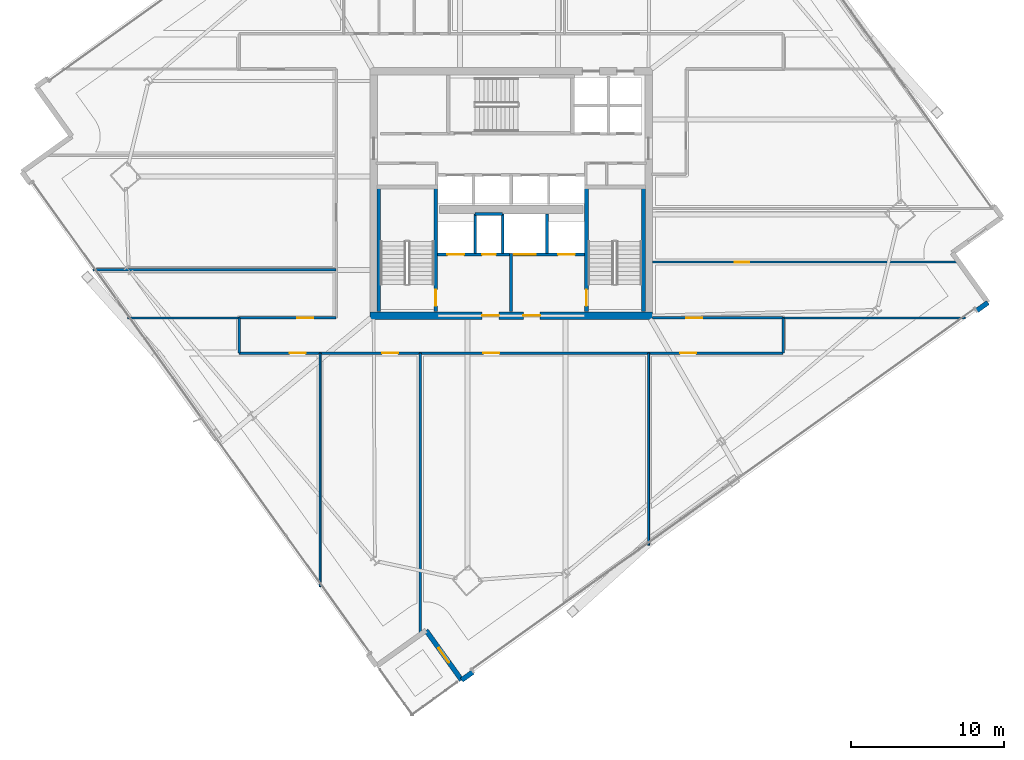
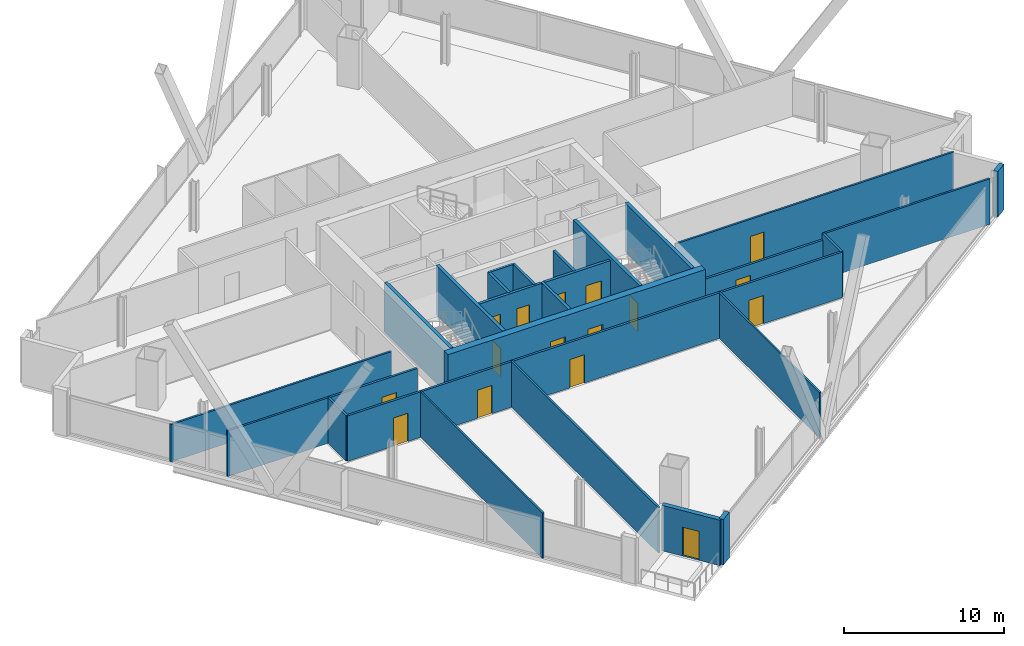
# One storey, part 25 of 33: 27 walls, 16 doors, 16 openings.
"""IFC4 building model written with IfcOpenShell, lengths in metres."""

from ifc_helpers import new_model, si_unit, direction, frame, frame_2d, origin, place, context, subcontext, project, spatial, rectangle, extrude, material, layer, layer_set, type_object, element, fill, save


model = new_model("IFC4")

# Units and contexts
model_context = context("Model", 3, precision=1e-05, world=origin(), true_north=direction((0.0, 1.0)))
body_context = subcontext(model_context, "Body", "Model", "MODEL_VIEW")
ifc_project = project(units=[si_unit("LENGTHUNIT", "METRE"), si_unit("AREAUNIT", "SQUARE_METRE"), si_unit("VOLUMEUNIT", "CUBIC_METRE"), si_unit("PLANEANGLEUNIT", "RADIAN"), si_unit("MASSUNIT", "GRAM", prefix="KILO")], contexts=[model_context])

# Site, building, storey
site_placement = place(None, origin())
site = spatial("IfcSite", under=ifc_project, at=site_placement, CompositionType="ELEMENT")
building_placement = place(site_placement, origin())
building = spatial("IfcBuilding", under=site, at=building_placement, Name="Haldenkirk Collegiate Tower", CompositionType="ELEMENT")
storey_placement = place(building_placement, frame((0.0, 0.0, 148.199951171875)))
storey = spatial("IfcBuildingStorey", under=building, at=storey_placement, Name="L36", CompositionType="ELEMENT", Elevation=148.199951171875)

# Wall, openings, doors
ifc_material_1 = material(Name="Concrete f'c 55 MPa", Category="concrete")
ifc_layer_1 = layer(ifc_material_1, 0.5)
ifc_layer_set_1 = layer_set([ifc_layer_1], Name="Concrete f'c 55 MPa")
wall_type_1 = type_object("IfcWallType", Name="WL-CORE-500", PredefinedType="SHEAR", material=ifc_layer_set_1)
wall_1_placement = place(storey_placement, frame((26.75, 18.0, 0.0), z_axis=(0.0, 0.0, 1.0), x_axis=(1.0, 0.0, 0.0)))
wall_1 = element("IfcWall", 1, at=wall_1_placement, inside=storey, type_object=wall_type_1, Name="L36 central core shear wall S", PredefinedType="SHEAR", context=body_context, shape_type="SweptSolid", body=[
    extrude(rectangle(XDim=18.5, YDim=0.5, at=frame_2d((9.25, 0.0))), origin(), (0.0, 0.0, 1.0), 3.75),
])
opening_1_placement = place(wall_1_placement, frame((7.35009765625, 0.0, 0.0)))
opening_1 = element("IfcOpeningElement", 2, at=opening_1_placement, cuts=wall_1, Name="Opening D-02", PredefinedType="OPENING", context=body_context, shape_type="SweptSolid", body=[
    extrude(rectangle(XDim=1.10009765625, YDim=2.14990234375, at=frame_2d((0.550048828125, 1.074951171875))), frame((0.0, 0.260009765625, 0.0), z_axis=(0.0, -1.0, 0.0), x_axis=(1.0, 0.0, 0.0)), (0.0, 0.0, 1.0), 0.52001953125),
])
opening_2_placement = place(wall_1_placement, frame((10.050048828125, 0.0, 0.0)))
opening_2 = element("IfcOpeningElement", 3, at=opening_2_placement, cuts=wall_1, Name="Opening D-02", PredefinedType="OPENING", context=body_context, shape_type="SweptSolid", body=[
    extrude(rectangle(XDim=1.10009765625, YDim=2.14990234375, at=frame_2d((0.550048828125, 1.074951171875))), frame((0.0, 0.260009765625, 0.0), z_axis=(0.0, -1.0, 0.0), x_axis=(1.0, 0.0, 0.0)), (0.0, 0.0, 1.0), 0.52001953125),
])
ifc_material_2 = material(Name="Galvanized fire-rated hollow steel door", Category="steel")
ifc_layer_2 = layer(ifc_material_2, 0.06005859375)
ifc_layer_set_2 = layer_set([ifc_layer_2], Name="Galvanized fire-rated hollow steel door")
door_type_1 = type_object("IfcDoorType", Name="DR-STAIR-FD90-1100", OperationType="NOTDEFINED", PredefinedType="DOOR", material=ifc_layer_set_2)
door_1_placement = place(opening_1_placement, origin())
door_1 = element("IfcDoor", 4, at=door_1_placement, inside=storey, type_object=door_type_1, Name="L36 Firefighting Lobby 1 door", OperationType="SINGLE_SWING_LEFT", OverallHeight=2.14990234375, OverallWidth=1.10009765625, PredefinedType="DOOR", context=body_context, shape_type="SweptSolid", body=[
    extrude(rectangle(XDim=1.10009765625, YDim=2.14990234375, at=frame_2d((0.550048828125, 1.074951171875))), frame((0.0, 0.02490234375, 0.0), z_axis=(0.0, -1.0, 0.0), x_axis=(1.0, 0.0, 0.0)), (0.0, 0.0, 1.0), 0.050048828125),
])
fill(opening_1, door_1)
door_2_placement = place(opening_2_placement, origin())
door_2 = element("IfcDoor", 5, at=door_2_placement, inside=storey, type_object=door_type_1, Name="L36 Firefighting Lobby 2 door", OperationType="SINGLE_SWING_RIGHT", OverallHeight=2.14990234375, OverallWidth=1.10009765625, PredefinedType="DOOR", context=body_context, shape_type="SweptSolid", body=[
    extrude(rectangle(XDim=1.10009765625, YDim=2.14990234375, at=frame_2d((0.550048828125, 1.074951171875))), frame((0.0, 0.02490234375, 0.0), z_axis=(0.0, -1.0, 0.0), x_axis=(1.0, 0.0, 0.0)), (0.0, 0.0, 1.0), 0.050048828125),
])
fill(opening_2, door_2)

# Walls
ifc_material_3 = material(Name="Precast concrete f'c 40 MPa", Category="concrete")
ifc_layer_3 = layer(ifc_material_3, 0.320068359375)
ifc_layer_set_3 = layer_set([ifc_layer_3], Name="Precast concrete f'c 40 MPa")
wall_type_2 = type_object("IfcWallType", Name="WL-EXT-TWR-320", PredefinedType="STANDARD", material=ifc_layer_set_3)
for number, where, z_axis, x_axis, name in (
    (6, (67.21484375, 18.853759765625, 0.0), (0.0, 0.0, 1.0), (-0.812613672587, -0.582802727451, 0.0), "L36 precast corner pier SL"),
    (7, (33.4921875, -5.333740234375, 0.0), (0.0, 0.0, 1.0), (-0.812485176157, -0.582981850939, 0.0), "L36 precast corner pier SR"),
):
    element("IfcWall", number, at=place(storey_placement, frame(where, z_axis=z_axis, x_axis=x_axis)), inside=storey, type_object=wall_type_2, Name=name, PredefinedType="STANDARD", context=body_context, shape_type="SweptSolid", body=[
        extrude(rectangle(XDim=0.89990234375, YDim=0.320068359375, at=frame_2d((0.449951171875, 0.0))), origin(), (0.0, 0.0, 1.0), 3.4599609375),
    ])

# Wall, opening, door
wall_2_placement = place(storey_placement, frame((32.760986328125, -5.8583984375, 0.0), z_axis=(0.0, 0.0, 1.0), x_axis=(-0.582813264105, 0.812606115645, 0.0)))
wall_2 = element("IfcWall", 8, at=wall_2_placement, inside=storey, type_object=wall_type_2, Name="L36 bronze precast notch wall 12", PredefinedType="STANDARD", context=body_context, shape_type="SweptSolid", body=[
    extrude(rectangle(XDim=4.0, YDim=0.320068359375, at=frame_2d((2.0, 0.0))), origin(), (0.0, 0.0, 1.0), 3.4599609375),
])
opening_3_placement = place(wall_2_placement, frame((1.425048828125, 0.0, 0.0)))
opening_3 = element("IfcOpeningElement", 9, at=opening_3_placement, cuts=wall_2, Name="Opening D-ST11", PredefinedType="OPENING", context=body_context, shape_type="SweptSolid", body=[
    extrude(rectangle(XDim=1.14990234375, YDim=2.199951171875, at=frame_2d((0.574951171875, 1.10009765625))), frame((0.0, 0.169921875, 0.0), z_axis=(0.0, -1.0, 0.0), x_axis=(1.0, 0.0, 0.0)), (0.0, 0.0, 1.0), 0.340087890625),
])
ifc_material_4 = material(Name="Anodised architectural bronze aluminium", Category="aluminium")
ifc_layer_4 = layer(ifc_material_4, 0.080078125)
ifc_layer_set_4 = layer_set([ifc_layer_4], Name="Anodised architectural bronze aluminium")
door_type_2 = type_object("IfcDoorType", Name="DR-EXT-STER-1150", OperationType="NOTDEFINED", PredefinedType="DOOR", material=ifc_layer_set_4)
door_3_placement = place(opening_3_placement, origin())
door_3 = element("IfcDoor", 10, at=door_3_placement, inside=storey, type_object=door_type_2, Name="L36 spiralling terrace door", OperationType="SINGLE_SWING_LEFT", OverallHeight=2.199951171875, OverallWidth=1.14990234375, PredefinedType="DOOR", context=body_context, shape_type="SweptSolid", body=[
    extrude(rectangle(XDim=1.14990234375, YDim=2.199951171875, at=frame_2d((0.574951171875, 1.10009765625))), frame((0.0, 0.02490234375, 0.0), z_axis=(0.0, -1.0, 0.0), x_axis=(1.0, 0.0, 0.0)), (0.0, 0.0, 1.0), 0.050048828125),
])
fill(opening_3, door_3)

# Wall, openings, doors
ifc_material_5 = material(Name="Acoustic fire-rated gypsum partition", Category="concrete")
ifc_layer_5 = layer(ifc_material_5, 0.159912109375)
ifc_layer_set_5 = layer_set([ifc_layer_5], Name="Acoustic fire-rated gypsum partition")
wall_type_3 = type_object("IfcWallType", Name="WL-INT-CORR-160", PredefinedType="PARTITIONING", material=ifc_layer_set_5)
wall_3_placement = place(storey_placement, frame((18.199951171875, 15.550048828125, 0.0), z_axis=(0.0, 0.0, 1.0), x_axis=(1.0, 0.0, 0.0)))
wall_3 = element("IfcWall", 11, at=wall_3_placement, inside=storey, type_object=wall_type_3, Name="L36 interior partition IW-L36-CS", PredefinedType="PARTITIONING", context=body_context, shape_type="SweptSolid", body=[
    extrude(rectangle(XDim=35.60009765625, YDim=0.159912109375, at=frame_2d((17.800048828125, 0.0))), origin(), (0.0, 0.0, 1.0), 3.4599609375),
])
opening_4_placement = place(wall_3_placement, frame((3.304931640625, 0.0, 0.0)))
opening_4 = element("IfcOpeningElement", 12, at=opening_4_placement, cuts=wall_3, Name="Opening D-09", PredefinedType="OPENING", context=body_context, shape_type="SweptSolid", body=[
    extrude(rectangle(XDim=1.050048828125, YDim=2.14990234375, at=frame_2d((0.52490234375, 1.074951171875))), frame((0.0, 0.08984375, 0.0), z_axis=(0.0, -1.0, 0.0), x_axis=(1.0, 0.0, 0.0)), (0.0, 0.0, 1.0), 0.179931640625),
])
opening_5_placement = place(wall_3_placement, frame((9.34912109375, 0.0, 0.0)))
opening_5 = element("IfcOpeningElement", 13, at=opening_5_placement, cuts=wall_3, Name="Opening D-09", PredefinedType="OPENING", context=body_context, shape_type="SweptSolid", body=[
    extrude(rectangle(XDim=1.050048828125, YDim=2.14990234375, at=frame_2d((0.52490234375, 1.074951171875))), frame((0.0, 0.08984375, 0.0), z_axis=(0.0, -1.0, 0.0), x_axis=(1.0, 0.0, 0.0)), (0.0, 0.0, 1.0), 0.179931640625),
])
opening_6_placement = place(wall_3_placement, frame((15.989013671875, 0.0, 0.0)))
opening_6 = element("IfcOpeningElement", 14, at=opening_6_placement, cuts=wall_3, Name="Opening D-09", PredefinedType="OPENING", context=body_context, shape_type="SweptSolid", body=[
    extrude(rectangle(XDim=1.050048828125, YDim=2.14990234375, at=frame_2d((0.52490234375, 1.074951171875))), frame((0.0, 0.08984375, 0.0), z_axis=(0.0, -1.0, 0.0), x_axis=(1.0, 0.0, 0.0)), (0.0, 0.0, 1.0), 0.179931640625),
])
opening_7_placement = place(wall_3_placement, frame((28.864990234375, 0.0, 0.0)))
opening_7 = element("IfcOpeningElement", 15, at=opening_7_placement, cuts=wall_3, Name="Opening D-09", PredefinedType="OPENING", context=body_context, shape_type="SweptSolid", body=[
    extrude(rectangle(XDim=1.050048828125, YDim=2.14990234375, at=frame_2d((0.52490234375, 1.074951171875))), frame((0.0, 0.08984375, 0.0), z_axis=(0.0, -1.0, 0.0), x_axis=(1.0, 0.0, 0.0)), (0.0, 0.0, 1.0), 0.179931640625),
])
ifc_material_6 = material(Name="Solid-core architectural oak fire door", Category="wood")
ifc_layer_6 = layer(ifc_material_6, 0.06005859375)
ifc_layer_set_6 = layer_set([ifc_layer_6], Name="Solid-core architectural oak fire door")
door_type_3 = type_object("IfcDoorType", Name="DR-INT-FD60-1050", OperationType="NOTDEFINED", PredefinedType="DOOR", material=ifc_layer_set_6)
door_4_placement = place(opening_4_placement, origin())
door_4 = element("IfcDoor", 16, at=door_4_placement, inside=storey, type_object=door_type_3, Name="L36 Academic Tea Kitchen 1 door", OperationType="SINGLE_SWING_LEFT", OverallHeight=2.14990234375, OverallWidth=1.050048828125, PredefinedType="DOOR", context=body_context, shape_type="SweptSolid", body=[
    extrude(rectangle(XDim=1.050048828125, YDim=2.14990234375, at=frame_2d((0.52490234375, 1.074951171875))), frame((0.0, 0.02490234375, 0.0), z_axis=(0.0, -1.0, 0.0), x_axis=(1.0, 0.0, 0.0)), (0.0, 0.0, 1.0), 0.050048828125),
])
fill(opening_4, door_4)
door_5_placement = place(opening_5_placement, origin())
door_5 = element("IfcDoor", 17, at=door_5_placement, inside=storey, type_object=door_type_3, Name="L36 Faculty Tea Kitchen 2 door", OperationType="SINGLE_SWING_RIGHT", OverallHeight=2.14990234375, OverallWidth=1.050048828125, PredefinedType="DOOR", context=body_context, shape_type="SweptSolid", body=[
    extrude(rectangle(XDim=1.050048828125, YDim=2.14990234375, at=frame_2d((0.52490234375, 1.074951171875))), frame((0.0, 0.02490234375, 0.0), z_axis=(0.0, -1.0, 0.0), x_axis=(1.0, 0.0, 0.0)), (0.0, 0.0, 1.0), 0.050048828125),
])
fill(opening_5, door_5)
door_6_placement = place(opening_6_placement, origin())
door_6 = element("IfcDoor", 18, at=door_6_placement, inside=storey, type_object=door_type_3, Name="L36 Hospitality Tea Kitchen 3 door", OperationType="SINGLE_SWING_LEFT", OverallHeight=2.14990234375, OverallWidth=1.050048828125, PredefinedType="DOOR", context=body_context, shape_type="SweptSolid", body=[
    extrude(rectangle(XDim=1.050048828125, YDim=2.14990234375, at=frame_2d((0.52490234375, 1.074951171875))), frame((0.0, 0.02490234375, 0.0), z_axis=(0.0, -1.0, 0.0), x_axis=(1.0, 0.0, 0.0)), (0.0, 0.0, 1.0), 0.050048828125),
])
fill(opening_6, door_6)
door_7_placement = place(opening_7_placement, origin())
door_7 = element("IfcDoor", 19, at=door_7_placement, inside=storey, type_object=door_type_3, Name="L36 Faculty Office 4 door", OperationType="SINGLE_SWING_RIGHT", OverallHeight=2.14990234375, OverallWidth=1.050048828125, PredefinedType="DOOR", context=body_context, shape_type="SweptSolid", body=[
    extrude(rectangle(XDim=1.050048828125, YDim=2.14990234375, at=frame_2d((0.52490234375, 1.074951171875))), frame((0.0, 0.02490234375, 0.0), z_axis=(0.0, -1.0, 0.0), x_axis=(1.0, 0.0, 0.0)), (0.0, 0.0, 1.0), 0.050048828125),
])
fill(opening_7, door_7)

# Wall, opening, door
wall_4_placement = place(storey_placement, frame((18.199951171875, 17.85009765625, 0.0), z_axis=(0.0, 0.0, 1.0), x_axis=(1.0, 0.0, 0.0)))
wall_4 = element("IfcWall", 20, at=wall_4_placement, inside=storey, type_object=wall_type_3, Name="L36 interior partition IW-L36-CSW", PredefinedType="PARTITIONING", context=body_context, shape_type="SweptSolid", body=[
    extrude(rectangle(XDim=6.35009765625, YDim=0.159912109375, at=frame_2d((3.175048828125, 0.0))), origin(), (0.0, 0.0, 1.0), 3.4599609375),
])
opening_8_placement = place(wall_4_placement, frame((3.79296875, 0.0, 0.0)))
opening_8 = element("IfcOpeningElement", 21, at=opening_8_placement, cuts=wall_4, Name="Opening D-09", PredefinedType="OPENING", context=body_context, shape_type="SweptSolid", body=[
    extrude(rectangle(XDim=1.050048828125, YDim=2.14990234375, at=frame_2d((0.52490234375, 1.074951171875))), frame((0.0, 0.08984375, 0.0), z_axis=(0.0, -1.0, 0.0), x_axis=(1.0, 0.0, 0.0)), (0.0, 0.0, 1.0), 0.179931640625),
])
door_8_placement = place(opening_8_placement, origin())
door_8 = element("IfcDoor", 22, at=door_8_placement, inside=storey, type_object=door_type_3, Name="L36 Academic Tea Kitchen 7 door", OperationType="SINGLE_SWING_LEFT", OverallHeight=2.14990234375, OverallWidth=1.050048828125, PredefinedType="DOOR", context=body_context, shape_type="SweptSolid", body=[
    extrude(rectangle(XDim=1.050048828125, YDim=2.14990234375, at=frame_2d((0.52490234375, 1.074951171875))), frame((0.0, 0.02490234375, 0.0), z_axis=(0.0, -1.0, 0.0), x_axis=(1.0, 0.0, 0.0)), (0.0, 0.0, 1.0), 0.050048828125),
])
fill(opening_8, door_8)

wall_5_placement = place(storey_placement, frame((45.25, 17.85009765625, 0.0), z_axis=(0.0, 0.0, 1.0), x_axis=(1.0, 0.0, 0.0)))
wall_5 = element("IfcWall", 23, at=wall_5_placement, inside=storey, type_object=wall_type_3, Name="L36 interior partition IW-L36-CSE", PredefinedType="PARTITIONING", context=body_context, shape_type="SweptSolid", body=[
    extrude(rectangle(XDim=8.550048828125, YDim=0.159912109375, at=frame_2d((4.27490234375, 0.0))), origin(), (0.0, 0.0, 1.0), 2.998046875),
])
opening_9_placement = place(wall_5_placement, frame((2.2109375, 0.0, 0.0)))
opening_9 = element("IfcOpeningElement", 24, at=opening_9_placement, cuts=wall_5, Name="Opening D-09", PredefinedType="OPENING", context=body_context, shape_type="SweptSolid", body=[
    extrude(rectangle(XDim=1.050048828125, YDim=2.14990234375, at=frame_2d((0.52490234375, 1.074951171875))), frame((0.0, 0.08984375, 0.0), z_axis=(0.0, -1.0, 0.0), x_axis=(1.0, 0.0, 0.0)), (0.0, 0.0, 1.0), 0.179931640625),
])
door_9_placement = place(opening_9_placement, origin())
door_9 = element("IfcDoor", 25, at=door_9_placement, inside=storey, type_object=door_type_3, Name="L36 Faculty Office 10 door", OperationType="SINGLE_SWING_RIGHT", OverallHeight=2.14990234375, OverallWidth=1.050048828125, PredefinedType="DOOR", context=body_context, shape_type="SweptSolid", body=[
    extrude(rectangle(XDim=1.050048828125, YDim=2.14990234375, at=frame_2d((0.52490234375, 1.074951171875))), frame((0.0, 0.02490234375, 0.0), z_axis=(0.0, -1.0, 0.0), x_axis=(1.0, 0.0, 0.0)), (0.0, 0.0, 1.0), 0.050048828125),
])
fill(opening_9, door_9)

# Walls
for number, where, z_axis, x_axis, name in (
    (26, (18.199951171875, 15.550048828125, 0.0), (0.0, 0.0, 1.0), (0.0, 1.0, 0.0), "L36 interior partition IW-L36-CSL"),
    (27, (53.800048828125, 15.550048828125, 0.0), (0.0, 0.0, 1.0), (0.0, 1.0, 0.0), "L36 interior partition IW-L36-CSR"),
):
    element("IfcWall", number, at=place(storey_placement, frame(where, z_axis=z_axis, x_axis=x_axis)), inside=storey, type_object=wall_type_3, Name=name, PredefinedType="PARTITIONING", context=body_context, shape_type="SweptSolid", body=[
        extrude(rectangle(XDim=2.300048828125, YDim=0.159912109375, at=frame_2d((1.14990234375, 0.0))), origin(), (0.0, 0.0, 1.0), 3.4599609375),
    ])
ifc_layer_7 = layer(ifc_material_5, 0.139892578125)
ifc_layer_set_7 = layer_set([ifc_layer_7], Name="Acoustic fire-rated gypsum partition")
wall_type_4 = type_object("IfcWallType", Name="WL-INT-DIV-140", PredefinedType="PARTITIONING", material=ifc_layer_set_7)
wall_6_placement = place(storey_placement, frame((10.883056640625, 17.85009765625, 0.0), z_axis=(0.0, 0.0, 1.0), x_axis=(1.0, 0.0, 0.0)))
element("IfcWall", 28, at=wall_6_placement, inside=storey, type_object=wall_type_4, Name="L36 interior partition IW-L36-BWS", PredefinedType="PARTITIONING", context=body_context, shape_type="SweptSolid", body=[
    extrude(rectangle(XDim=7.31689453125, YDim=0.139892578125, at=frame_2d((3.658447265625, 0.0))), origin(), (0.0, 0.0, 1.0), 3.4599609375),
])
wall_7_placement = place(storey_placement, frame((53.800048828125, 17.85009765625, 0.0), z_axis=(0.0, 0.0, 1.0), x_axis=(1.0, 0.0, 0.0)))
element("IfcWall", 29, at=wall_7_placement, inside=storey, type_object=wall_type_4, Name="L36 interior partition IW-L36-BES", PredefinedType="PARTITIONING", context=body_context, shape_type="SweptSolid", body=[
    extrude(rectangle(XDim=11.94677734375, YDim=0.139892578125, at=frame_2d((5.973388671875, 0.0))), origin(), (0.0, 0.0, 1.0), 3.4599609375),
])
wall_8_placement = place(storey_placement, frame((30.050048828125, -2.8310546875, 0.0), z_axis=(0.0, 0.0, 1.0), x_axis=(0.0, 1.0, 0.0)))
element("IfcWall", 30, at=wall_8_placement, inside=storey, type_object=wall_type_4, Name="L36 interior partition IW-L36-RS2", PredefinedType="PARTITIONING", context=body_context, shape_type="SweptSolid", body=[
    extrude(rectangle(XDim=18.381103515625, YDim=0.139892578125, at=frame_2d((9.1904296875, 0.0))), origin(), (0.0, 0.0, 1.0), 3.4599609375),
])
wall_9_placement = place(storey_placement, frame((8.623779296875, 21.0, 0.0), z_axis=(0.0, 0.0, 1.0), x_axis=(1.0, 0.0, 0.0)))
element("IfcWall", 31, at=wall_9_placement, inside=storey, type_object=wall_type_4, Name="L36 interior partition IW-L36-RW1", PredefinedType="PARTITIONING", context=body_context, shape_type="SweptSolid", body=[
    extrude(rectangle(XDim=15.92626953125, YDim=0.139892578125, at=frame_2d((7.963134765625, 0.0))), origin(), (0.0, 0.0, 1.0), 2.839111328125),
])

# Wall, opening, door
wall_10_placement = place(storey_placement, frame((45.25, 21.5, 0.0), z_axis=(0.0, 0.0, 1.0), x_axis=(1.0, 0.0, 0.0)))
wall_10 = element("IfcWall", 32, at=wall_10_placement, inside=storey, type_object=wall_type_4, Name="L36 interior partition IW-L36-RE1", PredefinedType="PARTITIONING", context=body_context, shape_type="SweptSolid", body=[
    extrude(rectangle(XDim=20.017578125, YDim=0.139892578125, at=frame_2d((10.0087890625, 0.0))), origin(), (0.0, 0.0, 1.0), 3.4599609375),
])
opening_10_placement = place(wall_10_placement, frame((5.383056640625, 0.0, 0.0)))
opening_10 = element("IfcOpeningElement", 33, at=opening_10_placement, cuts=wall_10, Name="Opening D-12", PredefinedType="OPENING", context=body_context, shape_type="SweptSolid", body=[
    extrude(rectangle(XDim=0.949951171875, YDim=2.14990234375, at=frame_2d((0.47509765625, 1.074951171875))), frame((0.0, 0.079833984375, 0.0), z_axis=(0.0, -1.0, 0.0), x_axis=(1.0, 0.0, 0.0)), (0.0, 0.0, 1.0), 0.159912109375),
])
ifc_layer_8 = layer(ifc_material_6, 0.06005859375)
ifc_layer_set_8 = layer_set([ifc_layer_8], Name="Solid-core architectural oak fire door")
door_type_4 = type_object("IfcDoorType", Name="DR-INT-STD-950", OperationType="NOTDEFINED", PredefinedType="DOOR", material=ifc_layer_set_8)
door_10_placement = place(opening_10_placement, origin())
door_10 = element("IfcDoor", 34, at=door_10_placement, inside=storey, type_object=door_type_4, Name="L36 Departmental Office 11 door", OperationType="SINGLE_SWING_LEFT", OverallHeight=2.14990234375, OverallWidth=0.949951171875, PredefinedType="DOOR", context=body_context, shape_type="SweptSolid", body=[
    extrude(rectangle(XDim=0.949951171875, YDim=2.14990234375, at=frame_2d((0.47509765625, 1.074951171875))), frame((0.0, 0.02490234375, 0.0), z_axis=(0.0, -1.0, 0.0), x_axis=(1.0, 0.0, 0.0)), (0.0, 0.0, 1.0), 0.050048828125),
])
fill(opening_10, door_10)

# Walls
ifc_material_7 = material(Name="Fire-rated gypsum shaftboard assembly", Category="concrete")
ifc_layer_9 = layer(ifc_material_7, 0.179931640625)
ifc_layer_set_9 = layer_set([ifc_layer_9], Name="Fire-rated gypsum shaftboard assembly")
wall_type_5 = type_object("IfcWallType", Name="WL-INT-SHAFT-180", PredefinedType="PARTITIONING", material=ifc_layer_set_9)
for number, where, z_axis, x_axis, name in (
    (35, (33.64990234375, 22.050048828125, 0.0), (0.0, 0.0, 1.0), (0.0, 1.0, 0.0), "L36 interior partition IW-L36-FL1E"),
    (36, (35.449951171875, 22.050048828125, 0.0), (0.0, 0.0, 1.0), (0.0, 1.0, 0.0), "L36 interior partition IW-L36-GL1W"),
):
    element("IfcWall", number, at=place(storey_placement, frame(where, z_axis=z_axis, x_axis=x_axis)), inside=storey, type_object=wall_type_5, Name=name, PredefinedType="PARTITIONING", context=body_context, shape_type="SweptSolid", body=[
        extrude(rectangle(XDim=2.599853515625, YDim=0.179931640625, at=frame_2d((1.2998046875, 0.0))), origin(), (0.0, 0.0, 1.0), 3.4599609375),
    ])
wall_11_placement = place(storey_placement, frame((33.64990234375, 24.64990234375, 0.0), z_axis=(0.0, 0.0, 1.0), x_axis=(1.0, 0.0, 0.0)))
element("IfcWall", 37, at=wall_11_placement, inside=storey, type_object=wall_type_5, Name="L36 interior partition IW-L36-RSRN", PredefinedType="PARTITIONING", context=body_context, shape_type="SweptSolid", body=[
    extrude(rectangle(XDim=1.800048828125, YDim=0.179931640625, at=frame_2d((0.89990234375, 0.0))), origin(), (0.0, 0.0, 1.0), 3.4599609375),
])
wall_12_placement = place(storey_placement, frame((38.35009765625, 22.050048828125, 0.0), z_axis=(0.0, 0.0, 1.0), x_axis=(0.0, 1.0, 0.0)))
element("IfcWall", 38, at=wall_12_placement, inside=storey, type_object=wall_type_5, Name="L36 interior partition IW-L36-GL1E", PredefinedType="PARTITIONING", context=body_context, shape_type="SweptSolid", body=[
    extrude(rectangle(XDim=2.599853515625, YDim=0.179931640625, at=frame_2d((1.2998046875, 0.0))), origin(), (0.0, 0.0, 1.0), 3.4599609375),
])
ifc_layer_10 = layer(ifc_material_7, 0.199951171875)
ifc_layer_set_10 = layer_set([ifc_layer_10], Name="Fire-rated gypsum shaftboard assembly")
wall_type_6 = type_object("IfcWallType", Name="WL-INT-SHAFT-200", PredefinedType="PARTITIONING", material=ifc_layer_set_10)
wall_13_placement = place(storey_placement, frame((36.0, 18.280029296875, 0.0), z_axis=(0.0, 0.0, 1.0), x_axis=(0.0, 1.0, 0.0)))
element("IfcWall", 39, at=wall_13_placement, inside=storey, type_object=wall_type_6, Name="L36 interior partition IW-L36-FFLM", PredefinedType="PARTITIONING", context=body_context, shape_type="SweptSolid", body=[
    extrude(rectangle(XDim=3.77001953125, YDim=0.199951171875, at=frame_2d((1.885009765625, 0.0))), origin(), (0.0, 0.0, 1.0), 3.4599609375),
])

# Wall, openings, doors
wall_14_placement = place(storey_placement, frame((31.18994140625, 22.0, 0.0), z_axis=(0.0, 0.0, 1.0), x_axis=(1.0, 0.0, 0.0)))
wall_14 = element("IfcWall", 40, at=wall_14_placement, inside=storey, type_object=wall_type_6, Name="L36 interior partition IW-L36-FFL1N", PredefinedType="PARTITIONING", context=body_context, shape_type="SweptSolid", body=[
    extrude(rectangle(XDim=4.68994140625, YDim=0.199951171875, at=frame_2d((2.344970703125, 0.0))), origin(), (0.0, 0.0, 1.0), 3.4599609375),
])
opening_11_placement = place(wall_14_placement, frame((2.909912109375, 0.0, 0.0)))
opening_11 = element("IfcOpeningElement", 41, at=opening_11_placement, cuts=wall_14, Name="Opening D-06", PredefinedType="OPENING", context=body_context, shape_type="SweptSolid", body=[
    extrude(rectangle(XDim=0.89990234375, YDim=2.14990234375, at=frame_2d((0.449951171875, 1.074951171875))), frame((0.0, 0.10986328125, 0.0), z_axis=(0.0, -1.0, 0.0), x_axis=(1.0, 0.0, 0.0)), (0.0, 0.0, 1.0), 0.219970703125),
])
opening_12_placement = place(wall_14_placement, frame((0.635009765625, 0.0, 0.0)))
opening_12 = element("IfcOpeningElement", 42, at=opening_12_placement, cuts=wall_14, Name="Opening LD-12", PredefinedType="OPENING", context=body_context, shape_type="SweptSolid", body=[
    extrude(rectangle(XDim=1.10009765625, YDim=2.14990234375, at=frame_2d((0.550048828125, 1.074951171875))), frame((0.0, 0.10986328125, 0.0), z_axis=(0.0, -1.0, 0.0), x_axis=(1.0, 0.0, 0.0)), (0.0, 0.0, 1.0), 0.219970703125),
])
ifc_layer_11 = layer(ifc_material_2, 0.06005859375)
ifc_layer_set_11 = layer_set([ifc_layer_11], Name="Galvanized fire-rated hollow steel door")
door_type_5 = type_object("IfcDoorType", Name="DR-INT-FD90-900", OperationType="NOTDEFINED", PredefinedType="DOOR", material=ifc_layer_set_11)
door_11_placement = place(opening_11_placement, origin())
door_11 = element("IfcDoor", 43, at=door_11_placement, inside=storey, type_object=door_type_5, Name="L36 electrical riser door", OperationType="SINGLE_SWING_LEFT", OverallHeight=2.14990234375, OverallWidth=0.89990234375, PredefinedType="DOOR", context=body_context, shape_type="SweptSolid", body=[
    extrude(rectangle(XDim=0.89990234375, YDim=2.14990234375, at=frame_2d((0.449951171875, 1.074951171875))), frame((0.0, 0.02490234375, 0.0), z_axis=(0.0, -1.0, 0.0), x_axis=(1.0, 0.0, 0.0)), (0.0, 0.0, 1.0), 0.050048828125),
])
fill(opening_11, door_11)
ifc_material_8 = material(Name="Brushed architectural stainless steel", Category="steel")
ifc_layer_12 = layer(ifc_material_8, 0.06005859375)
ifc_layer_set_12 = layer_set([ifc_layer_12], Name="Brushed architectural stainless steel")
door_type_6 = type_object("IfcDoorType", Name="LD-FIRE-1100", OperationType="NOTDEFINED", PredefinedType="DOOR", material=ifc_layer_set_12)
door_12_placement = place(opening_12_placement, origin())
door_12 = element("IfcDoor", 44, at=door_12_placement, inside=storey, type_object=door_type_6, Name="L36 Elevator FL1 sliding landing door", OperationType="SLIDING_TO_LEFT", OverallHeight=2.14990234375, OverallWidth=1.10009765625, PredefinedType="DOOR", context=body_context, shape_type="SweptSolid", body=[
    extrude(rectangle(XDim=1.10009765625, YDim=2.14990234375, at=frame_2d((0.550048828125, 1.074951171875))), frame((0.0, 0.02490234375, 0.0), z_axis=(0.0, -1.0, 0.0), x_axis=(1.0, 0.0, 0.0)), (0.0, 0.0, 1.0), 0.050048828125),
])
fill(opening_12, door_12)

wall_15_placement = place(storey_placement, frame((36.1201171875, 22.0, 0.0), z_axis=(0.0, 0.0, 1.0), x_axis=(1.0, 0.0, 0.0)))
wall_15 = element("IfcWall", 45, at=wall_15_placement, inside=storey, type_object=wall_type_6, Name="L36 interior partition IW-L36-FFL2N", PredefinedType="PARTITIONING", context=body_context, shape_type="SweptSolid", body=[
    extrude(rectangle(XDim=4.68994140625, YDim=0.199951171875, at=frame_2d((2.344970703125, 0.0))), origin(), (0.0, 0.0, 1.0), 3.4599609375),
])
opening_13_placement = place(wall_15_placement, frame((2.955078125, 0.0, 0.0)))
opening_13 = element("IfcOpeningElement", 46, at=opening_13_placement, cuts=wall_15, Name="Opening LD-12", PredefinedType="OPENING", context=body_context, shape_type="SweptSolid", body=[
    extrude(rectangle(XDim=1.10009765625, YDim=2.14990234375, at=frame_2d((0.550048828125, 1.074951171875))), frame((0.0, 0.10986328125, 0.0), z_axis=(0.0, -1.0, 0.0), x_axis=(1.0, 0.0, 0.0)), (0.0, 0.0, 1.0), 0.219970703125),
])
opening_14_placement = place(wall_15_placement, frame((0.080078125, 0.0, 0.0)))
opening_14 = element("IfcOpeningElement", 47, at=opening_14_placement, cuts=wall_15, Name="Opening LD-13", PredefinedType="OPENING", context=body_context, shape_type="SweptSolid", body=[
    extrude(rectangle(XDim=1.39990234375, YDim=2.199951171875, at=frame_2d((0.699951171875, 1.10009765625))), frame((0.0, 0.10986328125, 0.0), z_axis=(0.0, -1.0, 0.0), x_axis=(1.0, 0.0, 0.0)), (0.0, 0.0, 1.0), 0.219970703125),
])
door_13_placement = place(opening_13_placement, origin())
door_13 = element("IfcDoor", 48, at=door_13_placement, inside=storey, type_object=door_type_6, Name="L36 Elevator FL2 sliding landing door", OperationType="SLIDING_TO_LEFT", OverallHeight=2.14990234375, OverallWidth=1.10009765625, PredefinedType="DOOR", context=body_context, shape_type="SweptSolid", body=[
    extrude(rectangle(XDim=1.10009765625, YDim=2.14990234375, at=frame_2d((0.550048828125, 1.074951171875))), frame((0.0, 0.02490234375, 0.0), z_axis=(0.0, -1.0, 0.0), x_axis=(1.0, 0.0, 0.0)), (0.0, 0.0, 1.0), 0.050048828125),
])
fill(opening_13, door_13)
ifc_layer_13 = layer(ifc_material_8, 0.06005859375)
ifc_layer_set_13 = layer_set([ifc_layer_13], Name="Brushed architectural stainless steel")
door_type_7 = type_object("IfcDoorType", Name="LD-GOODS-1400", OperationType="NOTDEFINED", PredefinedType="DOOR", material=ifc_layer_set_13)
door_14_placement = place(opening_14_placement, origin())
door_14 = element("IfcDoor", 49, at=door_14_placement, inside=storey, type_object=door_type_7, Name="L36 Elevator GL1 sliding landing door", OperationType="SLIDING_TO_LEFT", OverallHeight=2.199951171875, OverallWidth=1.39990234375, PredefinedType="DOOR", context=body_context, shape_type="SweptSolid", body=[
    extrude(rectangle(XDim=1.39990234375, YDim=2.199951171875, at=frame_2d((0.699951171875, 1.10009765625))), frame((0.0, 0.02490234375, 0.0), z_axis=(0.0, -1.0, 0.0), x_axis=(1.0, 0.0, 0.0)), (0.0, 0.0, 1.0), 0.050048828125),
])
fill(opening_14, door_14)

# Walls
ifc_layer_14 = layer(ifc_material_5, 0.1201171875)
ifc_layer_set_14 = layer_set([ifc_layer_14], Name="Acoustic fire-rated gypsum partition")
wall_type_7 = type_object("IfcWallType", Name="WL-INT-WET-120", PredefinedType="PARTITIONING", material=ifc_layer_set_14)
wall_16_placement = place(storey_placement, frame((23.5, 0.25927734375, 0.0), z_axis=(0.0, 0.0, 1.0), x_axis=(0.0, 1.0, 0.0)))
element("IfcWall", 50, at=wall_16_placement, inside=storey, type_object=wall_type_7, Name="L36 interior partition IW-L36-RS1", PredefinedType="PARTITIONING", context=body_context, shape_type="SweptSolid", body=[
    extrude(rectangle(XDim=15.290771484375, YDim=0.1201171875, at=frame_2d((7.6455078125, 0.0))), origin(), (0.0, 0.0, 1.0), 3.4599609375),
])
wall_17_placement = place(storey_placement, frame((45.0, 2.969482421875, 0.0), z_axis=(0.0, 0.0, 1.0), x_axis=(0.0, 1.0, 0.0)))
element("IfcWall", 51, at=wall_17_placement, inside=storey, type_object=wall_type_7, Name="L36 interior partition IW-L36-RS3", PredefinedType="PARTITIONING", context=body_context, shape_type="SweptSolid", body=[
    extrude(rectangle(XDim=12.58056640625, YDim=0.1201171875, at=frame_2d((6.290283203125, 0.0))), origin(), (0.0, 0.0, 1.0), 3.4599609375),
])

# Wall, opening, door
ifc_layer_15 = layer(ifc_material_1, 0.239990234375)
ifc_layer_set_15 = layer_set([ifc_layer_15], Name="Concrete f'c 55 MPa")
wall_type_8 = type_object("IfcWallType", Name="WL-SHAFT-240", PredefinedType="SHEAR", material=ifc_layer_set_15)
wall_18_placement = place(storey_placement, frame((31.070068359375, 18.280029296875, 0.0), z_axis=(0.0, 0.0, 1.0), x_axis=(0.0, 1.0, 0.0)))
wall_18 = element("IfcWall", 52, at=wall_18_placement, inside=storey, type_object=wall_type_8, Name="L36 stair shaft shear wall SW-L36-ST1E", PredefinedType="SHEAR", context=body_context, shape_type="SweptSolid", body=[
    extrude(rectangle(XDim=8.260009765625, YDim=0.239990234375, at=frame_2d((4.1298828125, 0.0))), origin(), (0.0, 0.0, 1.0), 3.75),
])
opening_15_placement = place(wall_18_placement, frame((0.364990234375, 0.0, 0.0)))
opening_15 = element("IfcOpeningElement", 53, at=opening_15_placement, cuts=wall_18, Name="Opening D-01", PredefinedType="OPENING", context=body_context, shape_type="SweptSolid", body=[
    extrude(rectangle(XDim=1.050048828125, YDim=2.14990234375, at=frame_2d((0.52490234375, 1.074951171875))), frame((0.0, 0.1298828125, 0.0), z_axis=(0.0, -1.0, 0.0), x_axis=(1.0, 0.0, 0.0)), (0.0, 0.0, 1.0), 0.260009765625),
])
ifc_layer_16 = layer(ifc_material_2, 0.06005859375)
ifc_layer_set_16 = layer_set([ifc_layer_16], Name="Galvanized fire-rated hollow steel door")
door_type_8 = type_object("IfcDoorType", Name="DR-STAIR-FD90-1050", OperationType="NOTDEFINED", PredefinedType="DOOR", material=ifc_layer_set_16)
door_15_placement = place(opening_15_placement, origin())
door_15 = element("IfcDoor", 54, at=door_15_placement, inside=storey, type_object=door_type_8, Name="L36 Stair 1 door", OperationType="SINGLE_SWING_LEFT", OverallHeight=2.14990234375, OverallWidth=1.050048828125, PredefinedType="DOOR", context=body_context, shape_type="SweptSolid", body=[
    extrude(rectangle(XDim=1.050048828125, YDim=2.14990234375, at=frame_2d((0.52490234375, 1.074951171875))), frame((0.0, 0.02490234375, 0.0), z_axis=(0.0, -1.0, 0.0), x_axis=(1.0, 0.0, 0.0)), (0.0, 0.0, 1.0), 0.050048828125),
])
fill(opening_15, door_15)

# Wall
wall_19_placement = place(storey_placement, frame((27.330078125, 18.280029296875, 0.0), z_axis=(0.0, 0.0, 1.0), x_axis=(0.0, 1.0, 0.0)))
element("IfcWall", 55, at=wall_19_placement, inside=storey, type_object=wall_type_8, Name="L36 stair shaft shear wall SW-L36-ST1W", PredefinedType="SHEAR", context=body_context, shape_type="SweptSolid", body=[
    extrude(rectangle(XDim=8.260009765625, YDim=0.239990234375, at=frame_2d((4.1298828125, 0.0))), origin(), (0.0, 0.0, 1.0), 3.75),
])

# Wall, opening, door
wall_20_placement = place(storey_placement, frame((40.929931640625, 18.280029296875, 0.0), z_axis=(0.0, 0.0, 1.0), x_axis=(0.0, 1.0, 0.0)))
wall_20 = element("IfcWall", 56, at=wall_20_placement, inside=storey, type_object=wall_type_8, Name="L36 stair shaft shear wall SW-L36-ST2W", PredefinedType="SHEAR", context=body_context, shape_type="SweptSolid", body=[
    extrude(rectangle(XDim=8.260009765625, YDim=0.239990234375, at=frame_2d((4.1298828125, 0.0))), origin(), (0.0, 0.0, 1.0), 3.75),
])
opening_16_placement = place(wall_20_placement, frame((0.364990234375, 0.0, 0.0)))
opening_16 = element("IfcOpeningElement", 57, at=opening_16_placement, cuts=wall_20, Name="Opening D-01", PredefinedType="OPENING", context=body_context, shape_type="SweptSolid", body=[
    extrude(rectangle(XDim=1.050048828125, YDim=2.14990234375, at=frame_2d((0.52490234375, 1.074951171875))), frame((0.0, 0.1298828125, 0.0), z_axis=(0.0, -1.0, 0.0), x_axis=(1.0, 0.0, 0.0)), (0.0, 0.0, 1.0), 0.260009765625),
])
door_16_placement = place(opening_16_placement, origin())
door_16 = element("IfcDoor", 58, at=door_16_placement, inside=storey, type_object=door_type_8, Name="L36 Stair 2 door", OperationType="SINGLE_SWING_RIGHT", OverallHeight=2.14990234375, OverallWidth=1.050048828125, PredefinedType="DOOR", context=body_context, shape_type="SweptSolid", body=[
    extrude(rectangle(XDim=1.050048828125, YDim=2.14990234375, at=frame_2d((0.52490234375, 1.074951171875))), frame((0.0, 0.02490234375, 0.0), z_axis=(0.0, -1.0, 0.0), x_axis=(1.0, 0.0, 0.0)), (0.0, 0.0, 1.0), 0.050048828125),
])
fill(opening_16, door_16)

# Wall
wall_21_placement = place(storey_placement, frame((44.669921875, 18.280029296875, 0.0), z_axis=(0.0, 0.0, 1.0), x_axis=(0.0, 1.0, 0.0)))
element("IfcWall", 59, at=wall_21_placement, inside=storey, type_object=wall_type_8, Name="L36 stair shaft shear wall SW-L36-ST2E", PredefinedType="SHEAR", context=body_context, shape_type="SweptSolid", body=[
    extrude(rectangle(XDim=8.260009765625, YDim=0.239990234375, at=frame_2d((4.1298828125, 0.0))), origin(), (0.0, 0.0, 1.0), 3.75),
])

save(model, "model.ifc")
